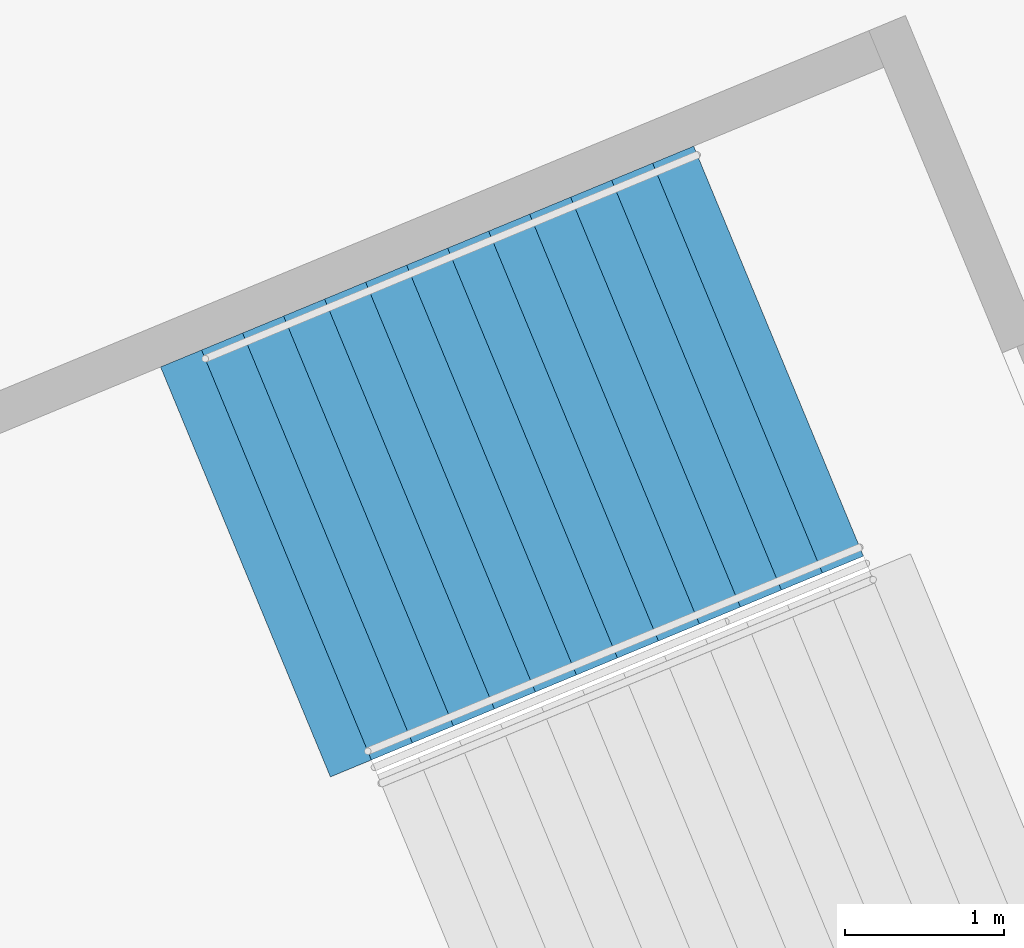
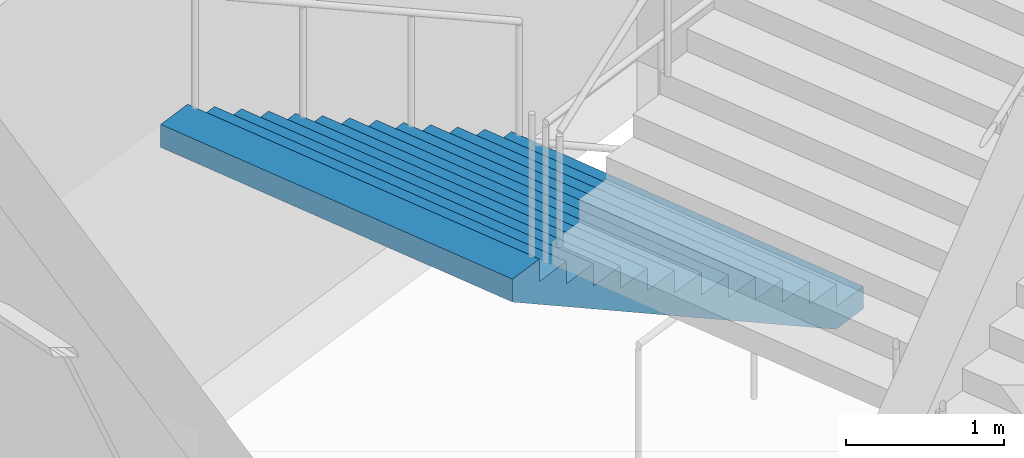
# One storey, part 113 of 199: 1 stair flight, 1 element without a shape of its own.
"""IFC4 building model written with IfcOpenShell, lengths in metres."""

from ifc_helpers import new_model, si_unit, direction, frame, origin, place, context, subcontext, project, spatial, faceted_brep, material, type_object, element, aggregate, save


model = new_model("IFC4")

# Units and contexts
model_context = context("Model", 3, precision=1e-05, world=origin(), true_north=direction((0.0, 1.0)))
body_context = subcontext(model_context, "Body", "Model", "MODEL_VIEW")
ifc_project = project(units=[si_unit("LENGTHUNIT", "METRE"), si_unit("AREAUNIT", "SQUARE_METRE"), si_unit("VOLUMEUNIT", "CUBIC_METRE"), si_unit("PLANEANGLEUNIT", "RADIAN"), si_unit("MASSUNIT", "GRAM", prefix="KILO")], contexts=[model_context])

# Site, building, storey
site_placement = place(None, origin())
site = spatial("IfcSite", under=ifc_project, at=site_placement, CompositionType="ELEMENT")
building_placement = place(site_placement, origin())
building = spatial("IfcBuilding", under=site, at=building_placement, Name="Ogive Plaza Stadium", CompositionType="ELEMENT")
storey_placement = place(building_placement, frame((0.0, 0.0, 4.5)))
storey = spatial("IfcBuildingStorey", under=building, at=storey_placement, Name="L01", CompositionType="ELEMENT", Elevation=4.5)

# Stair, stair flight
ifc_material_1 = material(Name="Concrete C40/50", Category="concrete")
stair_type = type_object("IfcStairType", Name="Exit stair", PredefinedType="STRAIGHT_RUN_STAIR", material=ifc_material_1)
stair_placement = place(storey_placement, origin())
stair = element("IfcStair", 1, at=stair_placement, inside=storey, type_object=stair_type, Name="Exit stair ST20A L01 to L02", PredefinedType="STRAIGHT_RUN_STAIR")
ifc_material_2 = material(Name="Concrete C40/50", Category="concrete")
stair_flight_type = type_object("IfcStairFlightType", Name="Exit stair flight", PredefinedType="STRAIGHT", material=ifc_material_2)
stair_flight_placement = place(storey_placement, frame((-74.819580078125, -64.618408203125, 0.0), z_axis=(0.0, 0.0, 1.0), x_axis=(-0.923879532511, -0.382683432365, 0.0)))
stair_flight = element("IfcStairFlight", 2, at=stair_flight_placement, type_object=stair_flight_type, Name="ST20A flight 1", NumberOfRisers=13, NumberOfTreads=12, PredefinedType="STRAIGHT", RiserHeight=0.173076923, TreadLength=0.28, context=body_context, shape_type="Brep", body=[
    faceted_brep([(0.28515625, -1.39990234375, 0.0), (3.639892578125, -1.39990234375, 2.07373046875), (3.639892578125, -1.39990234375, 2.25), (3.360107421875, -1.39990234375, 2.25), (3.360107421875, -1.39990234375, 2.076904296875), (3.080078125, -1.39990234375, 2.076904296875), (3.080078125, -1.39990234375, 1.90380859375), (2.800048828125, -1.39990234375, 1.90380859375), (2.800048828125, -1.39990234375, 1.730712890625), (2.52001953125, -1.39990234375, 1.730712890625), (2.52001953125, -1.39990234375, 1.5576171875), (2.239990234375, -1.39990234375, 1.5576171875), (2.239990234375, -1.39990234375, 1.384521484375), (1.9599609375, -1.39990234375, 1.384521484375), (1.9599609375, -1.39990234375, 1.21142578125), (1.679931640625, -1.39990234375, 1.21142578125), (1.679931640625, -1.39990234375, 1.03857421875), (1.39990234375, -1.39990234375, 1.03857421875), (1.39990234375, -1.39990234375, 0.865478515625), (1.1201171875, -1.39990234375, 0.865478515625), (1.1201171875, -1.39990234375, 0.6923828125), (0.840087890625, -1.39990234375, 0.6923828125), (0.840087890625, -1.39990234375, 0.519287109375), (0.56005859375, -1.39990234375, 0.519287109375), (0.56005859375, -1.39990234375, 0.34619140625), (0.280029296875, -1.39990234375, 0.34619140625), (0.280029296875, -1.39990234375, 0.173095703125), (0.0, -1.39990234375, 0.173095703125), (0.0, -1.39990234375, 0.0), (0.0, 1.39990234375, 0.0), (0.0, 1.39990234375, 0.173095703125), (0.280029296875, 1.39990234375, 0.173095703125), (0.280029296875, 1.39990234375, 0.34619140625), (0.56005859375, 1.39990234375, 0.34619140625), (0.56005859375, 1.39990234375, 0.519287109375), (0.840087890625, 1.39990234375, 0.519287109375), (0.840087890625, 1.39990234375, 0.6923828125), (1.1201171875, 1.39990234375, 0.6923828125), (1.1201171875, 1.39990234375, 0.865478515625), (1.39990234375, 1.39990234375, 0.865478515625), (1.39990234375, 1.39990234375, 1.03857421875), (1.679931640625, 1.39990234375, 1.03857421875), (1.679931640625, 1.39990234375, 1.21142578125), (1.9599609375, 1.39990234375, 1.21142578125), (1.9599609375, 1.39990234375, 1.384521484375), (2.239990234375, 1.39990234375, 1.384521484375), (2.239990234375, 1.39990234375, 1.5576171875), (2.52001953125, 1.39990234375, 1.5576171875), (2.52001953125, 1.39990234375, 1.730712890625), (2.800048828125, 1.39990234375, 1.730712890625), (2.800048828125, 1.39990234375, 1.90380859375), (3.080078125, 1.39990234375, 1.90380859375), (3.080078125, 1.39990234375, 2.076904296875), (3.360107421875, 1.39990234375, 2.076904296875), (3.360107421875, 1.39990234375, 2.25), (3.639892578125, 1.39990234375, 2.25), (3.639892578125, 1.39990234375, 2.07373046875), (0.28515625, 1.39990234375, 0.0), (0.28515625, -1.0888671875, 0.0), (3.639892578125, -1.0888671875, 2.07373046875), (0.28515625, -0.77783203125, 0.0), (3.639892578125, -0.77783203125, 2.07373046875), (0.28515625, -0.466796875, 0.0), (3.639892578125, -0.466796875, 2.07373046875), (0.28515625, -0.155517578125, 0.0), (3.639892578125, -0.155517578125, 2.07373046875), (0.28515625, 0.155517578125, 0.0), (3.639892578125, 0.155517578125, 2.07373046875), (0.28515625, 0.466796875, 0.0), (3.639892578125, 0.466796875, 2.07373046875), (0.28515625, 0.77783203125, 0.0), (3.639892578125, 0.77783203125, 2.07373046875), (0.28515625, 1.0888671875, 0.0), (3.639892578125, 1.0888671875, 2.07373046875), (3.639892578125, -1.0888671875, 2.25), (3.639892578125, -0.77783203125, 2.25), (3.639892578125, -0.466796875, 2.25), (3.639892578125, -0.155517578125, 2.25), (3.639892578125, 0.155517578125, 2.25), (3.639892578125, 0.466796875, 2.25), (3.639892578125, 0.77783203125, 2.25), (3.639892578125, 1.0888671875, 2.25), (3.360107421875, -1.0888671875, 2.25), (3.360107421875, -0.77783203125, 2.25), (3.360107421875, -0.466796875, 2.25), (3.360107421875, -0.155517578125, 2.25), (3.360107421875, 0.155517578125, 2.25), (3.360107421875, 0.466796875, 2.25), (3.360107421875, 0.77783203125, 2.25), (3.360107421875, 1.0888671875, 2.25), (3.360107421875, -1.0888671875, 2.076904296875), (3.360107421875, -0.77783203125, 2.076904296875), (3.360107421875, -0.466796875, 2.076904296875), (3.360107421875, -0.155517578125, 2.076904296875), (3.360107421875, 0.155517578125, 2.076904296875), (3.360107421875, 0.466796875, 2.076904296875), (3.360107421875, 0.77783203125, 2.076904296875), (3.360107421875, 1.0888671875, 2.076904296875), (3.080078125, -1.0888671875, 2.076904296875), (3.080078125, -0.77783203125, 2.076904296875), (3.080078125, -0.466796875, 2.076904296875), (3.080078125, -0.155517578125, 2.076904296875), (3.080078125, 0.155517578125, 2.076904296875), (3.080078125, 0.466796875, 2.076904296875), (3.080078125, 0.77783203125, 2.076904296875), (3.080078125, 1.0888671875, 2.076904296875), (3.080078125, -1.0888671875, 1.90380859375), (3.080078125, -0.77783203125, 1.90380859375), (3.080078125, -0.466796875, 1.90380859375), (3.080078125, -0.155517578125, 1.90380859375), (3.080078125, 0.155517578125, 1.90380859375), (3.080078125, 0.466796875, 1.90380859375), (3.080078125, 0.77783203125, 1.90380859375), (3.080078125, 1.0888671875, 1.90380859375), (2.800048828125, -1.0888671875, 1.90380859375), (2.800048828125, -0.77783203125, 1.90380859375), (2.800048828125, -0.466796875, 1.90380859375), (2.800048828125, -0.155517578125, 1.90380859375), (2.800048828125, 0.155517578125, 1.90380859375), (2.800048828125, 0.466796875, 1.90380859375), (2.800048828125, 0.77783203125, 1.90380859375), (2.800048828125, 1.0888671875, 1.90380859375), (2.800048828125, -1.0888671875, 1.730712890625), (2.800048828125, -0.77783203125, 1.730712890625), (2.800048828125, -0.466796875, 1.730712890625), (2.800048828125, -0.155517578125, 1.730712890625), (2.800048828125, 0.155517578125, 1.730712890625), (2.800048828125, 0.466796875, 1.730712890625), (2.800048828125, 0.77783203125, 1.730712890625), (2.800048828125, 1.0888671875, 1.730712890625), (2.52001953125, -1.0888671875, 1.730712890625), (2.52001953125, -0.77783203125, 1.730712890625), (2.52001953125, -0.466796875, 1.730712890625), (2.52001953125, -0.155517578125, 1.730712890625), (2.52001953125, 0.155517578125, 1.730712890625), (2.52001953125, 0.466796875, 1.730712890625), (2.52001953125, 0.77783203125, 1.730712890625), (2.52001953125, 1.0888671875, 1.730712890625), (2.52001953125, -1.0888671875, 1.5576171875), (2.52001953125, -0.77783203125, 1.5576171875), (2.52001953125, -0.466796875, 1.5576171875), (2.52001953125, -0.155517578125, 1.5576171875), (2.52001953125, 0.155517578125, 1.5576171875), (2.52001953125, 0.466796875, 1.5576171875), (2.52001953125, 0.77783203125, 1.5576171875), (2.52001953125, 1.0888671875, 1.5576171875), (2.239990234375, -1.0888671875, 1.5576171875), (2.239990234375, -0.77783203125, 1.5576171875), (2.239990234375, -0.466796875, 1.5576171875), (2.239990234375, -0.155517578125, 1.5576171875), (2.239990234375, 0.155517578125, 1.5576171875), (2.239990234375, 0.466796875, 1.5576171875), (2.239990234375, 0.77783203125, 1.5576171875), (2.239990234375, 1.0888671875, 1.5576171875), (2.239990234375, -1.0888671875, 1.384521484375), (2.239990234375, -0.77783203125, 1.384521484375), (2.239990234375, -0.466796875, 1.384521484375), (2.239990234375, -0.155517578125, 1.384521484375), (2.239990234375, 0.155517578125, 1.384521484375), (2.239990234375, 0.466796875, 1.384521484375), (2.239990234375, 0.77783203125, 1.384521484375), (2.239990234375, 1.0888671875, 1.384521484375), (1.9599609375, -1.0888671875, 1.384521484375), (1.9599609375, -0.77783203125, 1.384521484375), (1.9599609375, -0.466796875, 1.384521484375), (1.9599609375, -0.155517578125, 1.384521484375), (1.9599609375, 0.155517578125, 1.384521484375), (1.9599609375, 0.466796875, 1.384521484375), (1.9599609375, 0.77783203125, 1.384521484375), (1.9599609375, 1.0888671875, 1.384521484375), (1.9599609375, -1.0888671875, 1.21142578125), (1.9599609375, -0.77783203125, 1.21142578125), (1.9599609375, -0.466796875, 1.21142578125), (1.9599609375, -0.155517578125, 1.21142578125), (1.9599609375, 0.155517578125, 1.21142578125), (1.9599609375, 0.466796875, 1.21142578125), (1.9599609375, 0.77783203125, 1.21142578125), (1.9599609375, 1.0888671875, 1.21142578125), (1.679931640625, -1.0888671875, 1.21142578125), (1.679931640625, -0.77783203125, 1.21142578125), (1.679931640625, -0.466796875, 1.21142578125), (1.679931640625, -0.155517578125, 1.21142578125), (1.679931640625, 0.155517578125, 1.21142578125), (1.679931640625, 0.466796875, 1.21142578125), (1.679931640625, 0.77783203125, 1.21142578125), (1.679931640625, 1.0888671875, 1.21142578125), (1.679931640625, -1.0888671875, 1.03857421875), (1.679931640625, -0.77783203125, 1.03857421875), (1.679931640625, -0.466796875, 1.03857421875), (1.679931640625, -0.155517578125, 1.03857421875), (1.679931640625, 0.155517578125, 1.03857421875), (1.679931640625, 0.466796875, 1.03857421875), (1.679931640625, 0.77783203125, 1.03857421875), (1.679931640625, 1.0888671875, 1.03857421875), (1.39990234375, -1.0888671875, 1.03857421875), (1.39990234375, -0.77783203125, 1.03857421875), (1.39990234375, -0.466796875, 1.03857421875), (1.39990234375, -0.155517578125, 1.03857421875), (1.39990234375, 0.155517578125, 1.03857421875), (1.39990234375, 0.466796875, 1.03857421875), (1.39990234375, 0.77783203125, 1.03857421875), (1.39990234375, 1.0888671875, 1.03857421875), (1.39990234375, -1.0888671875, 0.865478515625), (1.39990234375, -0.77783203125, 0.865478515625), (1.39990234375, -0.466796875, 0.865478515625), (1.39990234375, -0.155517578125, 0.865478515625), (1.39990234375, 0.155517578125, 0.865478515625), (1.39990234375, 0.466796875, 0.865478515625), (1.39990234375, 0.77783203125, 0.865478515625), (1.39990234375, 1.0888671875, 0.865478515625), (1.1201171875, -1.0888671875, 0.865478515625), (1.1201171875, -0.77783203125, 0.865478515625), (1.1201171875, -0.466796875, 0.865478515625), (1.1201171875, -0.155517578125, 0.865478515625), (1.1201171875, 0.155517578125, 0.865478515625), (1.1201171875, 0.466796875, 0.865478515625), (1.1201171875, 0.77783203125, 0.865478515625), (1.1201171875, 1.0888671875, 0.865478515625), (1.1201171875, -1.0888671875, 0.6923828125), (1.1201171875, -0.77783203125, 0.6923828125), (1.1201171875, -0.466796875, 0.6923828125), (1.1201171875, -0.155517578125, 0.6923828125), (1.1201171875, 0.155517578125, 0.6923828125), (1.1201171875, 0.466796875, 0.6923828125), (1.1201171875, 0.77783203125, 0.6923828125), (1.1201171875, 1.0888671875, 0.6923828125), (0.840087890625, -1.0888671875, 0.6923828125), (0.840087890625, -0.77783203125, 0.6923828125), (0.840087890625, -0.466796875, 0.6923828125), (0.840087890625, -0.155517578125, 0.6923828125), (0.840087890625, 0.155517578125, 0.6923828125), (0.840087890625, 0.466796875, 0.6923828125), (0.840087890625, 0.77783203125, 0.6923828125), (0.840087890625, 1.0888671875, 0.6923828125), (0.840087890625, -1.0888671875, 0.519287109375), (0.840087890625, -0.77783203125, 0.519287109375), (0.840087890625, -0.466796875, 0.519287109375), (0.840087890625, -0.155517578125, 0.519287109375), (0.840087890625, 0.155517578125, 0.519287109375), (0.840087890625, 0.466796875, 0.519287109375), (0.840087890625, 0.77783203125, 0.519287109375), (0.840087890625, 1.0888671875, 0.519287109375), (0.56005859375, -1.0888671875, 0.519287109375), (0.56005859375, -0.77783203125, 0.519287109375), (0.56005859375, -0.466796875, 0.519287109375), (0.56005859375, -0.155517578125, 0.519287109375), (0.56005859375, 0.155517578125, 0.519287109375), (0.56005859375, 0.466796875, 0.519287109375), (0.56005859375, 0.77783203125, 0.519287109375), (0.56005859375, 1.0888671875, 0.519287109375), (0.56005859375, -1.0888671875, 0.34619140625), (0.56005859375, -0.77783203125, 0.34619140625), (0.56005859375, -0.466796875, 0.34619140625), (0.56005859375, -0.155517578125, 0.34619140625), (0.56005859375, 0.155517578125, 0.34619140625), (0.56005859375, 0.466796875, 0.34619140625), (0.56005859375, 0.77783203125, 0.34619140625), (0.56005859375, 1.0888671875, 0.34619140625), (0.280029296875, -1.0888671875, 0.34619140625), (0.280029296875, -0.77783203125, 0.34619140625), (0.280029296875, -0.466796875, 0.34619140625), (0.280029296875, -0.155517578125, 0.34619140625), (0.280029296875, 0.155517578125, 0.34619140625), (0.280029296875, 0.466796875, 0.34619140625), (0.280029296875, 0.77783203125, 0.34619140625), (0.280029296875, 1.0888671875, 0.34619140625), (0.280029296875, -1.0888671875, 0.173095703125), (0.280029296875, -0.77783203125, 0.173095703125), (0.280029296875, -0.466796875, 0.173095703125), (0.280029296875, -0.155517578125, 0.173095703125), (0.280029296875, 0.155517578125, 0.173095703125), (0.280029296875, 0.466796875, 0.173095703125), (0.280029296875, 0.77783203125, 0.173095703125), (0.280029296875, 1.0888671875, 0.173095703125), (0.0, -1.0888671875, 0.173095703125), (0.0, -0.77783203125, 0.173095703125), (0.0, -0.466796875, 0.173095703125), (0.0, -0.155517578125, 0.173095703125), (0.0, 0.155517578125, 0.173095703125), (0.0, 0.466796875, 0.173095703125), (0.0, 0.77783203125, 0.173095703125), (0.0, 1.0888671875, 0.173095703125), (0.0, -1.0888671875, 0.0), (0.0, -0.77783203125, 0.0), (0.0, -0.466796875, 0.0), (0.0, -0.155517578125, 0.0), (0.0, 0.155517578125, 0.0), (0.0, 0.466796875, 0.0), (0.0, 0.77783203125, 0.0), (0.0, 1.0888671875, 0.0)], [[[0, 1, 2, 3, 4, 5, 6, 7, 8, 9, 10, 11, 12, 13, 14, 15, 16, 17, 18, 19, 20, 21, 22, 23, 24, 25, 26, 27, 28]], [[29, 30, 31, 32, 33, 34, 35, 36, 37, 38, 39, 40, 41, 42, 43, 44, 45, 46, 47, 48, 49, 50, 51, 52, 53, 54, 55, 56, 57]], [[0, 58, 59, 1]], [[58, 60, 61, 59]], [[60, 62, 63, 61]], [[62, 64, 65, 63]], [[64, 66, 67, 65]], [[66, 68, 69, 67]], [[68, 70, 71, 69]], [[70, 72, 73, 71]], [[72, 57, 56, 73]], [[1, 59, 74, 2]], [[59, 61, 75, 74]], [[61, 63, 76, 75]], [[63, 65, 77, 76]], [[65, 67, 78, 77]], [[67, 69, 79, 78]], [[69, 71, 80, 79]], [[71, 73, 81, 80]], [[73, 56, 55, 81]], [[2, 74, 82, 3]], [[74, 75, 83, 82]], [[75, 76, 84, 83]], [[76, 77, 85, 84]], [[77, 78, 86, 85]], [[78, 79, 87, 86]], [[79, 80, 88, 87]], [[80, 81, 89, 88]], [[81, 55, 54, 89]], [[3, 82, 90, 4]], [[82, 83, 91, 90]], [[83, 84, 92, 91]], [[84, 85, 93, 92]], [[85, 86, 94, 93]], [[86, 87, 95, 94]], [[87, 88, 96, 95]], [[88, 89, 97, 96]], [[89, 54, 53, 97]], [[4, 90, 98, 5]], [[90, 91, 99, 98]], [[91, 92, 100, 99]], [[92, 93, 101, 100]], [[93, 94, 102, 101]], [[94, 95, 103, 102]], [[95, 96, 104, 103]], [[96, 97, 105, 104]], [[97, 53, 52, 105]], [[5, 98, 106, 6]], [[98, 99, 107, 106]], [[99, 100, 108, 107]], [[100, 101, 109, 108]], [[101, 102, 110, 109]], [[102, 103, 111, 110]], [[103, 104, 112, 111]], [[104, 105, 113, 112]], [[105, 52, 51, 113]], [[6, 106, 114, 7]], [[106, 107, 115, 114]], [[107, 108, 116, 115]], [[108, 109, 117, 116]], [[109, 110, 118, 117]], [[110, 111, 119, 118]], [[111, 112, 120, 119]], [[112, 113, 121, 120]], [[113, 51, 50, 121]], [[7, 114, 122, 8]], [[114, 115, 123, 122]], [[115, 116, 124, 123]], [[116, 117, 125, 124]], [[117, 118, 126, 125]], [[118, 119, 127, 126]], [[119, 120, 128, 127]], [[120, 121, 129, 128]], [[121, 50, 49, 129]], [[8, 122, 130, 9]], [[122, 123, 131, 130]], [[123, 124, 132, 131]], [[124, 125, 133, 132]], [[125, 126, 134, 133]], [[126, 127, 135, 134]], [[127, 128, 136, 135]], [[128, 129, 137, 136]], [[129, 49, 48, 137]], [[9, 130, 138, 10]], [[130, 131, 139, 138]], [[131, 132, 140, 139]], [[132, 133, 141, 140]], [[133, 134, 142, 141]], [[134, 135, 143, 142]], [[135, 136, 144, 143]], [[136, 137, 145, 144]], [[137, 48, 47, 145]], [[10, 138, 146, 11]], [[138, 139, 147, 146]], [[139, 140, 148, 147]], [[140, 141, 149, 148]], [[141, 142, 150, 149]], [[142, 143, 151, 150]], [[143, 144, 152, 151]], [[144, 145, 153, 152]], [[145, 47, 46, 153]], [[11, 146, 154, 12]], [[146, 147, 155, 154]], [[147, 148, 156, 155]], [[148, 149, 157, 156]], [[149, 150, 158, 157]], [[150, 151, 159, 158]], [[151, 152, 160, 159]], [[152, 153, 161, 160]], [[153, 46, 45, 161]], [[12, 154, 162, 13]], [[154, 155, 163, 162]], [[155, 156, 164, 163]], [[156, 157, 165, 164]], [[157, 158, 166, 165]], [[158, 159, 167, 166]], [[159, 160, 168, 167]], [[160, 161, 169, 168]], [[161, 45, 44, 169]], [[13, 162, 170, 14]], [[162, 163, 171, 170]], [[163, 164, 172, 171]], [[164, 165, 173, 172]], [[165, 166, 174, 173]], [[166, 167, 175, 174]], [[167, 168, 176, 175]], [[168, 169, 177, 176]], [[169, 44, 43, 177]], [[14, 170, 178, 15]], [[170, 171, 179, 178]], [[171, 172, 180, 179]], [[172, 173, 181, 180]], [[173, 174, 182, 181]], [[174, 175, 183, 182]], [[175, 176, 184, 183]], [[176, 177, 185, 184]], [[177, 43, 42, 185]], [[15, 178, 186, 16]], [[178, 179, 187, 186]], [[179, 180, 188, 187]], [[180, 181, 189, 188]], [[181, 182, 190, 189]], [[182, 183, 191, 190]], [[183, 184, 192, 191]], [[184, 185, 193, 192]], [[185, 42, 41, 193]], [[16, 186, 194, 17]], [[186, 187, 195, 194]], [[187, 188, 196, 195]], [[188, 189, 197, 196]], [[189, 190, 198, 197]], [[190, 191, 199, 198]], [[191, 192, 200, 199]], [[192, 193, 201, 200]], [[193, 41, 40, 201]], [[17, 194, 202, 18]], [[194, 195, 203, 202]], [[195, 196, 204, 203]], [[196, 197, 205, 204]], [[197, 198, 206, 205]], [[198, 199, 207, 206]], [[199, 200, 208, 207]], [[200, 201, 209, 208]], [[201, 40, 39, 209]], [[18, 202, 210, 19]], [[202, 203, 211, 210]], [[203, 204, 212, 211]], [[204, 205, 213, 212]], [[205, 206, 214, 213]], [[206, 207, 215, 214]], [[207, 208, 216, 215]], [[208, 209, 217, 216]], [[209, 39, 38, 217]], [[19, 210, 218, 20]], [[210, 211, 219, 218]], [[211, 212, 220, 219]], [[212, 213, 221, 220]], [[213, 214, 222, 221]], [[214, 215, 223, 222]], [[215, 216, 224, 223]], [[216, 217, 225, 224]], [[217, 38, 37, 225]], [[20, 218, 226, 21]], [[218, 219, 227, 226]], [[219, 220, 228, 227]], [[220, 221, 229, 228]], [[221, 222, 230, 229]], [[222, 223, 231, 230]], [[223, 224, 232, 231]], [[224, 225, 233, 232]], [[225, 37, 36, 233]], [[21, 226, 234, 22]], [[226, 227, 235, 234]], [[227, 228, 236, 235]], [[228, 229, 237, 236]], [[229, 230, 238, 237]], [[230, 231, 239, 238]], [[231, 232, 240, 239]], [[232, 233, 241, 240]], [[233, 36, 35, 241]], [[22, 234, 242, 23]], [[234, 235, 243, 242]], [[235, 236, 244, 243]], [[236, 237, 245, 244]], [[237, 238, 246, 245]], [[238, 239, 247, 246]], [[239, 240, 248, 247]], [[240, 241, 249, 248]], [[241, 35, 34, 249]], [[23, 242, 250, 24]], [[242, 243, 251, 250]], [[243, 244, 252, 251]], [[244, 245, 253, 252]], [[245, 246, 254, 253]], [[246, 247, 255, 254]], [[247, 248, 256, 255]], [[248, 249, 257, 256]], [[249, 34, 33, 257]], [[24, 250, 258, 25]], [[250, 251, 259, 258]], [[251, 252, 260, 259]], [[252, 253, 261, 260]], [[253, 254, 262, 261]], [[254, 255, 263, 262]], [[255, 256, 264, 263]], [[256, 257, 265, 264]], [[257, 33, 32, 265]], [[25, 258, 266, 26]], [[258, 259, 267, 266]], [[259, 260, 268, 267]], [[260, 261, 269, 268]], [[261, 262, 270, 269]], [[262, 263, 271, 270]], [[263, 264, 272, 271]], [[264, 265, 273, 272]], [[265, 32, 31, 273]], [[26, 266, 274, 27]], [[266, 267, 275, 274]], [[267, 268, 276, 275]], [[268, 269, 277, 276]], [[269, 270, 278, 277]], [[270, 271, 279, 278]], [[271, 272, 280, 279]], [[272, 273, 281, 280]], [[273, 31, 30, 281]], [[27, 274, 282, 28]], [[274, 275, 283, 282]], [[275, 276, 284, 283]], [[276, 277, 285, 284]], [[277, 278, 286, 285]], [[278, 279, 287, 286]], [[279, 280, 288, 287]], [[280, 281, 289, 288]], [[281, 30, 29, 289]], [[28, 282, 58, 0]], [[282, 283, 60, 58]], [[283, 284, 62, 60]], [[284, 285, 64, 62]], [[285, 286, 66, 64]], [[286, 287, 68, 66]], [[287, 288, 70, 68]], [[288, 289, 72, 70]], [[289, 29, 57, 72]]]),
])
aggregate(stair, [stair_flight])

save(model, "model.ifc")
